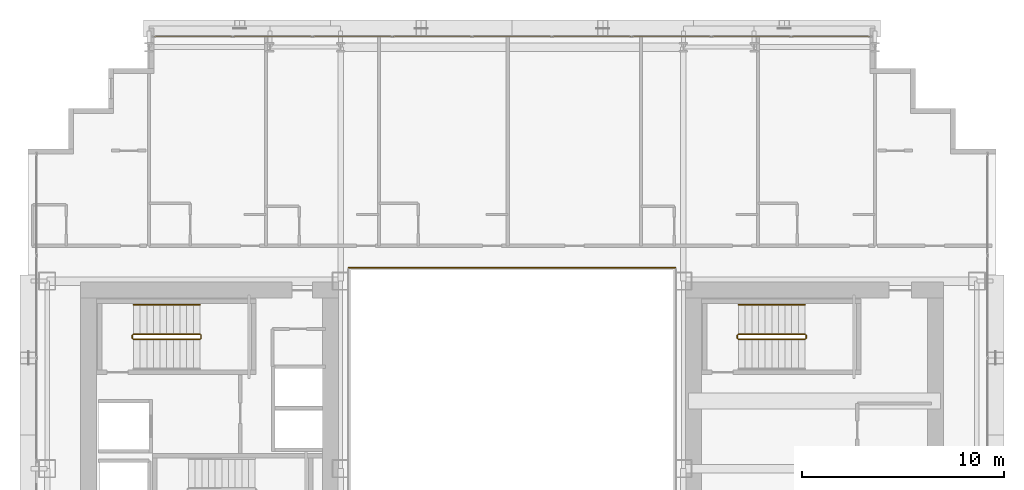
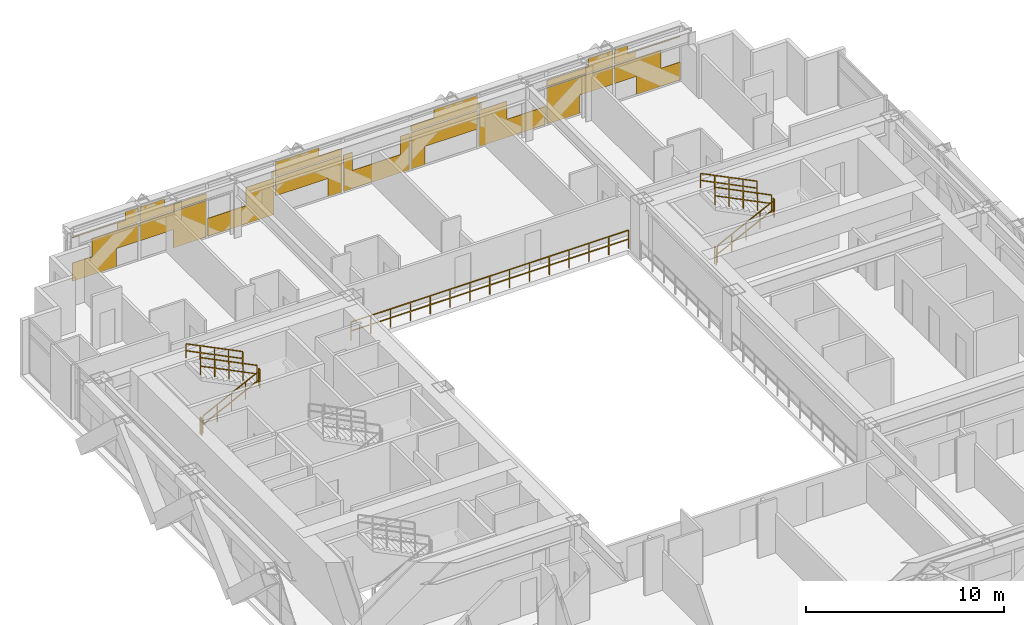
# One storey, part 35 of 35: 11 railings, 1 covering.
"""IFC4 building model written with IfcOpenShell, lengths in metres."""

from ifc_helpers import new_model, si_unit, direction, frame, origin, origin_2d, place, context, subcontext, project, spatial, rectangle, extrude, material, layer, layer_set, type_object, element, save


model = new_model("IFC4")

# Units and contexts
model_context = context("Model", 3, precision=1e-05, world=origin(), true_north=direction((0.0, 1.0)))
body_context = subcontext(model_context, "Body", "Model", "MODEL_VIEW")
ifc_project = project(units=[si_unit("LENGTHUNIT", "METRE"), si_unit("AREAUNIT", "SQUARE_METRE"), si_unit("VOLUMEUNIT", "CUBIC_METRE"), si_unit("PLANEANGLEUNIT", "RADIAN"), si_unit("MASSUNIT", "GRAM", prefix="KILO")], contexts=[model_context])

# Site, building, storey
site_placement = place(None, origin())
site = spatial("IfcSite", under=ifc_project, at=site_placement, CompositionType="ELEMENT")
building_placement = place(site_placement, origin())
building = spatial("IfcBuilding", under=site, at=building_placement, Name="Ocotamira Hotel", CompositionType="ELEMENT")
storey_placement = place(building_placement, frame((0.0, 0.0, 49.199951171875)))
storey = spatial("IfcBuildingStorey", under=building, at=storey_placement, Name="L11", CompositionType="ELEMENT", Elevation=49.199951171875)

# Covering
ifc_material_1 = material(Name="Insulated pale-metal aluminium spandrel panel", Category="aluminium")
ifc_layer = layer(ifc_material_1, 0.044921875)
ifc_layer_set = layer_set([ifc_layer], Name="Insulated pale-metal aluminium spandrel panel")
covering_type = type_object("IfcCoveringType", Name="COV-INFILL-45", PredefinedType="CLADDING", material=ifc_layer_set)
covering_placement = place(storey_placement, origin())
element("IfcCovering", 1, at=covering_placement, inside=storey, type_object=covering_type, Name="L11 Curtain Wall Infill CW-2 CW-L11-N", PredefinedType="CLADDING", context=body_context, shape_type="SweptSolid", body=[
    extrude(rectangle(XDim=2.556396484375, YDim=0.044921875, at=origin_2d()), frame((15.558837890625, 49.580078125, 0.07568359375), z_axis=(0.0, 0.0, 1.0), x_axis=(1.0, 0.0, 0.0)), (0.0, 0.0, 1.0), 1.11767578125),
    extrude(rectangle(XDim=2.7177734375, YDim=0.044921875, at=origin_2d()), frame((16.756103515625, 49.580078125, 1.1943359375), z_axis=(0.0, 0.0, 1.0), x_axis=(1.0, 0.0, 0.0)), (0.0, 0.0, 1.0), 1.117919921875),
    extrude(rectangle(XDim=3.834716796875, YDim=0.044921875, at=origin_2d()), frame((16.19775390625, 49.580078125, 2.7333984375), z_axis=(0.0, 0.0, 1.0), x_axis=(1.0, 0.0, 0.0)), (0.0, 0.0, 1.0), 0.0302734375),
    extrude(rectangle(XDim=1.2255859375, YDim=0.044921875, at=origin_2d()), frame((17.502197265625, 49.580078125, 2.38818359375), z_axis=(0.0, 0.0, 1.0), x_axis=(1.0, 0.0, 0.0)), (0.0, 0.0, 1.0), 0.344482421875),
    extrude(rectangle(XDim=0.754638671875, YDim=0.044921875, at=origin_2d()), frame((17.73779296875, 49.580078125, 2.7646484375), z_axis=(0.0, 0.0, 1.0), x_axis=(1.0, 0.0, 0.0)), (0.0, 0.0, 1.0), 0.509765625),
    extrude(rectangle(XDim=3.87451171875, YDim=0.044921875, at=origin_2d()), frame((20.13330078125, 49.580078125, 1.1943359375), z_axis=(0.0, 0.0, 1.0), x_axis=(1.0, 0.0, 0.0)), (0.0, 0.0, 1.0), 1.117919921875),
    extrude(rectangle(XDim=1.90771484375, YDim=0.044921875, at=origin_2d()), frame((21.11669921875, 49.580078125, 0.07568359375), z_axis=(0.0, 0.0, 1.0), x_axis=(1.0, 0.0, 0.0)), (0.0, 0.0, 1.0), 1.11767578125),
    extrude(rectangle(XDim=3.87451171875, YDim=0.044921875, at=origin_2d()), frame((20.13330078125, 49.580078125, 2.38818359375), z_axis=(0.0, 0.0, 1.0), x_axis=(1.0, 0.0, 0.0)), (0.0, 0.0, 1.0), 0.375732421875),
    extrude(rectangle(XDim=1.443603515625, YDim=0.044921875, at=origin_2d()), frame((18.917724609375, 49.580078125, 2.7646484375), z_axis=(0.0, 0.0, 1.0), x_axis=(1.0, 0.0, 0.0)), (0.0, 0.0, 1.0), 0.509765625),
    extrude(rectangle(XDim=3.87451171875, YDim=0.044921875, at=origin_2d()), frame((24.0888671875, 49.580078125, 0.07568359375), z_axis=(0.0, 0.0, 1.0), x_axis=(1.0, 0.0, 0.0)), (0.0, 0.0, 1.0), 1.11767578125),
    extrude(rectangle(XDim=1.62890625, YDim=0.044921875, at=origin_2d()), frame((25.2119140625, 49.580078125, 1.1943359375), z_axis=(0.0, 0.0, 1.0), x_axis=(1.0, 0.0, 0.0)), (0.0, 0.0, 1.0), 1.117919921875),
    extrude(rectangle(XDim=0.13671875, YDim=0.044921875, at=origin_2d()), frame((25.957763671875, 49.580078125, 2.38818359375), z_axis=(0.0, 0.0, 1.0), x_axis=(1.0, 0.0, 0.0)), (0.0, 0.0, 1.0), 0.375732421875),
    extrude(rectangle(XDim=3.87451171875, YDim=0.044921875, at=origin_2d()), frame((28.04443359375, 49.580078125, 1.1943359375), z_axis=(0.0, 0.0, 1.0), x_axis=(1.0, 0.0, 0.0)), (0.0, 0.0, 1.0), 1.117919921875),
    extrude(rectangle(XDim=0.81884765625, YDim=0.044921875, at=origin_2d()), frame((29.572265625, 49.580078125, 0.07568359375), z_axis=(0.0, 0.0, 1.0), x_axis=(1.0, 0.0, 0.0)), (0.0, 0.0, 1.0), 1.11767578125),
    extrude(rectangle(XDim=3.87451171875, YDim=0.044921875, at=origin_2d()), frame((28.04443359375, 49.580078125, 2.38818359375), z_axis=(0.0, 0.0, 1.0), x_axis=(1.0, 0.0, 0.0)), (0.0, 0.0, 1.0), 0.375732421875),
    extrude(rectangle(XDim=2.532470703125, YDim=0.044921875, at=origin_2d()), frame((27.373291015625, 49.580078125, 2.7646484375), z_axis=(0.0, 0.0, 1.0), x_axis=(1.0, 0.0, 0.0)), (0.0, 0.0, 1.0), 0.509765625),
    extrude(rectangle(XDim=3.87451171875, YDim=0.044921875, at=origin_2d()), frame((32.0, 49.580078125, 0.07568359375), z_axis=(0.0, 0.0, 1.0), x_axis=(1.0, 0.0, 0.0)), (0.0, 0.0, 1.0), 1.11767578125),
    extrude(rectangle(XDim=0.539794921875, YDim=0.044921875, at=origin_2d()), frame((30.332763671875, 49.580078125, 1.1943359375), z_axis=(0.0, 0.0, 1.0), x_axis=(1.0, 0.0, 0.0)), (0.0, 0.0, 1.0), 1.117919921875),
    extrude(rectangle(XDim=0.539794921875, YDim=0.044921875, at=origin_2d()), frame((33.667236328125, 49.580078125, 1.1943359375), z_axis=(0.0, 0.0, 1.0), x_axis=(1.0, 0.0, 0.0)), (0.0, 0.0, 1.0), 1.117919921875),
    extrude(rectangle(XDim=0.81884765625, YDim=0.044921875, at=origin_2d()), frame((34.427734375, 49.580078125, 0.07568359375), z_axis=(0.0, 0.0, 1.0), x_axis=(1.0, 0.0, 0.0)), (0.0, 0.0, 1.0), 1.11767578125),
    extrude(rectangle(XDim=3.87451171875, YDim=0.044921875, at=origin_2d()), frame((35.95556640625, 49.580078125, 1.1943359375), z_axis=(0.0, 0.0, 1.0), x_axis=(1.0, 0.0, 0.0)), (0.0, 0.0, 1.0), 1.117919921875),
    extrude(rectangle(XDim=3.87451171875, YDim=0.044921875, at=origin_2d()), frame((35.95556640625, 49.580078125, 2.38818359375), z_axis=(0.0, 0.0, 1.0), x_axis=(1.0, 0.0, 0.0)), (0.0, 0.0, 1.0), 0.375732421875),
    extrude(rectangle(XDim=2.532470703125, YDim=0.044921875, at=origin_2d()), frame((36.626708984375, 49.580078125, 2.7646484375), z_axis=(0.0, 0.0, 1.0), x_axis=(1.0, 0.0, 0.0)), (0.0, 0.0, 1.0), 0.509765625),
    extrude(rectangle(XDim=3.87451171875, YDim=0.044921875, at=origin_2d()), frame((39.9111328125, 49.580078125, 0.07568359375), z_axis=(0.0, 0.0, 1.0), x_axis=(1.0, 0.0, 0.0)), (0.0, 0.0, 1.0), 1.11767578125),
    extrude(rectangle(XDim=1.62890625, YDim=0.044921875, at=origin_2d()), frame((38.7880859375, 49.580078125, 1.1943359375), z_axis=(0.0, 0.0, 1.0), x_axis=(1.0, 0.0, 0.0)), (0.0, 0.0, 1.0), 1.117919921875),
    extrude(rectangle(XDim=0.13671875, YDim=0.044921875, at=origin_2d()), frame((38.042236328125, 49.580078125, 2.38818359375), z_axis=(0.0, 0.0, 1.0), x_axis=(1.0, 0.0, 0.0)), (0.0, 0.0, 1.0), 0.375732421875),
    extrude(rectangle(XDim=1.90771484375, YDim=0.044921875, at=origin_2d()), frame((42.88330078125, 49.580078125, 0.07568359375), z_axis=(0.0, 0.0, 1.0), x_axis=(1.0, 0.0, 0.0)), (0.0, 0.0, 1.0), 1.11767578125),
    extrude(rectangle(XDim=3.87451171875, YDim=0.044921875, at=origin_2d()), frame((43.86669921875, 49.580078125, 1.1943359375), z_axis=(0.0, 0.0, 1.0), x_axis=(1.0, 0.0, 0.0)), (0.0, 0.0, 1.0), 1.117919921875),
    extrude(rectangle(XDim=3.87451171875, YDim=0.044921875, at=origin_2d()), frame((43.86669921875, 49.580078125, 2.38818359375), z_axis=(0.0, 0.0, 1.0), x_axis=(1.0, 0.0, 0.0)), (0.0, 0.0, 1.0), 0.375732421875),
    extrude(rectangle(XDim=1.443603515625, YDim=0.044921875, at=origin_2d()), frame((45.082275390625, 49.580078125, 2.7646484375), z_axis=(0.0, 0.0, 1.0), x_axis=(1.0, 0.0, 0.0)), (0.0, 0.0, 1.0), 0.509765625),
    extrude(rectangle(XDim=2.7177734375, YDim=0.044921875, at=origin_2d()), frame((47.243896484375, 49.580078125, 1.1943359375), z_axis=(0.0, 0.0, 1.0), x_axis=(1.0, 0.0, 0.0)), (0.0, 0.0, 1.0), 1.117919921875),
    extrude(rectangle(XDim=2.556396484375, YDim=0.044921875, at=origin_2d()), frame((48.441162109375, 49.580078125, 0.07568359375), z_axis=(0.0, 0.0, 1.0), x_axis=(1.0, 0.0, 0.0)), (0.0, 0.0, 1.0), 1.11767578125),
    extrude(rectangle(XDim=1.2255859375, YDim=0.044921875, at=origin_2d()), frame((46.497802734375, 49.580078125, 2.38818359375), z_axis=(0.0, 0.0, 1.0), x_axis=(1.0, 0.0, 0.0)), (0.0, 0.0, 1.0), 0.344482421875),
    extrude(rectangle(XDim=3.834716796875, YDim=0.044921875, at=origin_2d()), frame((47.80224609375, 49.580078125, 2.7333984375), z_axis=(0.0, 0.0, 1.0), x_axis=(1.0, 0.0, 0.0)), (0.0, 0.0, 1.0), 0.0302734375),
    extrude(rectangle(XDim=0.754638671875, YDim=0.044921875, at=origin_2d()), frame((46.26220703125, 49.580078125, 2.7646484375), z_axis=(0.0, 0.0, 1.0), x_axis=(1.0, 0.0, 0.0)), (0.0, 0.0, 1.0), 0.509765625),
])

# Railings
ifc_material_2 = material(Name="Painted steel stair guardrail", Category="steel")
railing_type_1 = type_object("IfcRailingType", Name="RL-EDGE-1150", PredefinedType="GUARDRAIL", material=ifc_material_2)
railing_1_placement = place(storey_placement, frame((40.10009765625, 38.1201171875, 0.0)))
element("IfcRailing", 2, at=railing_1_placement, inside=storey, type_object=railing_type_1, Name="L11 Central Atrium Edge Guardrail N", PredefinedType="GUARDRAIL", context=body_context, shape_type="SweptSolid", body=[
    extrude(rectangle(XDim=0.048095703125, YDim=0.048095703125, at=origin_2d()), frame((0.0, 0.0, 1.1259765625), z_axis=(-1.0, 0.0, 0.0), x_axis=(0.0, -1.0, 0.0)), (0.0, 0.0, 1.0), 16.2001953125),
    extrude(rectangle(XDim=0.048095703125, YDim=0.048095703125, at=origin_2d()), frame((0.0, 0.0, 0.574951171875), z_axis=(-1.0, 0.0, 0.0), x_axis=(0.0, -1.0, 0.0)), (0.0, 0.0, 1.0), 16.2001953125),
    extrude(rectangle(XDim=0.0419921875, YDim=0.0419921875, at=origin_2d()), origin(), (0.0, 0.0, 1.0), 1.101806640625),
    extrude(rectangle(XDim=0.0419921875, YDim=0.0419921875, at=origin_2d()), frame((-1.1572265625, 0.0, 0.0)), (0.0, 0.0, 1.0), 1.101806640625),
    extrude(rectangle(XDim=0.0419921875, YDim=0.0419921875, at=origin_2d()), frame((-2.314208984375, 0.0, 0.0)), (0.0, 0.0, 1.0), 1.101806640625),
    extrude(rectangle(XDim=0.0419921875, YDim=0.0419921875, at=origin_2d()), frame((-3.471435546875, 0.0, 0.0)), (0.0, 0.0, 1.0), 1.101806640625),
    extrude(rectangle(XDim=0.0419921875, YDim=0.0419921875, at=origin_2d()), frame((-4.628662109375, 0.0, 0.0)), (0.0, 0.0, 1.0), 1.101806640625),
    extrude(rectangle(XDim=0.0419921875, YDim=0.0419921875, at=origin_2d()), frame((-5.785888671875, 0.0, 0.0)), (0.0, 0.0, 1.0), 1.101806640625),
    extrude(rectangle(XDim=0.0419921875, YDim=0.0419921875, at=origin_2d()), frame((-6.94287109375, 0.0, 0.0)), (0.0, 0.0, 1.0), 1.101806640625),
    extrude(rectangle(XDim=0.0419921875, YDim=0.0419921875, at=origin_2d()), frame((-8.10009765625, 0.0, 0.0)), (0.0, 0.0, 1.0), 1.101806640625),
    extrude(rectangle(XDim=0.0419921875, YDim=0.0419921875, at=origin_2d()), frame((-9.25732421875, 0.0, 0.0)), (0.0, 0.0, 1.0), 1.101806640625),
    extrude(rectangle(XDim=0.0419921875, YDim=0.0419921875, at=origin_2d()), frame((-10.414306640625, 0.0, 0.0)), (0.0, 0.0, 1.0), 1.101806640625),
    extrude(rectangle(XDim=0.0419921875, YDim=0.0419921875, at=origin_2d()), frame((-11.571533203125, 0.0, 0.0)), (0.0, 0.0, 1.0), 1.101806640625),
    extrude(rectangle(XDim=0.0419921875, YDim=0.0419921875, at=origin_2d()), frame((-12.728759765625, 0.0, 0.0)), (0.0, 0.0, 1.0), 1.101806640625),
    extrude(rectangle(XDim=0.0419921875, YDim=0.0419921875, at=origin_2d()), frame((-13.885986328125, 0.0, 0.0)), (0.0, 0.0, 1.0), 1.101806640625),
    extrude(rectangle(XDim=0.0419921875, YDim=0.0419921875, at=origin_2d()), frame((-15.04296875, 0.0, 0.0)), (0.0, 0.0, 1.0), 1.101806640625),
    extrude(rectangle(XDim=0.0419921875, YDim=0.0419921875, at=origin_2d()), frame((-16.2001953125, 0.0, 0.0)), (0.0, 0.0, 1.0), 1.101806640625),
])
ifc_material_3 = material(Name="Brushed stainless steel handrail", Category="steel")
railing_type_2 = type_object("IfcRailingType", Name="RL-HAND-900", PredefinedType="HANDRAIL", material=ifc_material_3)
for number, where, name in (
    (3, (16.530029296875, 36.280029296875, 2.12744140625), "L11 ST-2 stair handrail 2"),
    (4, (46.530029296875, 36.280029296875, 2.12744140625), "L11 ST-4 stair handrail 2"),
):
    element("IfcRailing", number, at=place(storey_placement, frame(where)), inside=storey, type_object=railing_type_2, Name=name, PredefinedType="HANDRAIL", context=body_context, shape_type="SweptSolid", body=[
        extrude(rectangle(XDim=0.048095703125, YDim=0.048095703125, at=origin_2d()), frame((0.0, 0.0, 0.8759765625), z_axis=(-0.895920123917, 0.0, 0.444215186098), x_axis=(0.0, -1.0, 0.0)), (0.0, 0.0, 1.0), 3.683349609375),
        extrude(rectangle(XDim=0.048095703125, YDim=0.048095703125, at=origin_2d()), frame((0.0, 0.0, 0.449951171875), z_axis=(-0.895920123917, 0.0, 0.444215186098), x_axis=(0.0, -1.0, 0.0)), (0.0, 0.0, 1.0), 3.683349609375),
        extrude(rectangle(XDim=0.0419921875, YDim=0.0419921875, at=origin_2d()), origin(), (0.0, 0.0, 1.0), 0.851806640625),
        extrude(rectangle(XDim=0.0419921875, YDim=0.0419921875, at=origin_2d()), frame((-0.824951171875, 0.0, 0.4091796875)), (0.0, 0.0, 1.0), 0.851806640625),
        extrude(rectangle(XDim=0.0419921875, YDim=0.0419921875, at=origin_2d()), frame((-1.64990234375, 0.0, 0.818115234375)), (0.0, 0.0, 1.0), 0.851806640625),
        extrude(rectangle(XDim=0.0419921875, YDim=0.0419921875, at=origin_2d()), frame((-2.47509765625, 0.0, 1.22705078125)), (0.0, 0.0, 1.0), 0.851806640625),
        extrude(rectangle(XDim=0.0419921875, YDim=0.0419921875, at=origin_2d()), frame((-3.300048828125, 0.0, 1.63623046875)), (0.0, 0.0, 1.0), 0.851806640625),
    ])
railing_type_3 = type_object("IfcRailingType", Name="RL-STAIR-1100", PredefinedType="GUARDRAIL", material=ifc_material_2)
railing_2_placement = place(storey_placement, frame((13.22998046875, 34.56005859375, 0.16357421875)))
element("IfcRailing", 5, at=railing_2_placement, inside=storey, type_object=railing_type_3, Name="L11 ST-2 stair guard 1", PredefinedType="GUARDRAIL", context=body_context, shape_type="SweptSolid", body=[
    extrude(rectangle(XDim=0.048095703125, YDim=0.048095703125, at=origin_2d()), frame((0.0, 0.0, 1.076171875), z_axis=(0.895893744519, 0.0, 0.4442683857), x_axis=(0.0, 1.0, 0.0)), (0.0, 0.0, 1.0), 3.68359375),
    extrude(rectangle(XDim=0.048095703125, YDim=0.048095703125, at=origin_2d()), frame((0.0, 0.0, 0.550048828125), z_axis=(0.895893744519, 0.0, 0.4442683857), x_axis=(0.0, 1.0, 0.0)), (0.0, 0.0, 1.0), 3.68359375),
    extrude(rectangle(XDim=0.0419921875, YDim=0.0419921875, at=origin_2d()), origin(), (0.0, 0.0, 1.0), 1.052001953125),
    extrude(rectangle(XDim=0.0419921875, YDim=0.0419921875, at=origin_2d()), frame((0.824951171875, 0.0, 0.4091796875)), (0.0, 0.0, 1.0), 1.052001953125),
    extrude(rectangle(XDim=0.0419921875, YDim=0.0419921875, at=origin_2d()), frame((1.64990234375, 0.0, 0.818359375)), (0.0, 0.0, 1.0), 1.052001953125),
    extrude(rectangle(XDim=0.0419921875, YDim=0.0419921875, at=origin_2d()), frame((2.47509765625, 0.0, 1.227294921875)), (0.0, 0.0, 1.0), 1.052001953125),
    extrude(rectangle(XDim=0.0419921875, YDim=0.0419921875, at=origin_2d()), frame((3.300048828125, 0.0, 1.636474609375)), (0.0, 0.0, 1.0), 1.052001953125),
])
railing_3_placement = place(storey_placement, frame((16.580078125, 34.610107421875, 1.800048828125)))
element("IfcRailing", 6, at=railing_3_placement, inside=storey, type_object=railing_type_3, Name="L11 ST-2 stair guard 2", PredefinedType="GUARDRAIL", context=body_context, shape_type="SweptSolid", body=[
    extrude(rectangle(XDim=0.048095703125, YDim=0.048095703125, at=origin_2d()), frame((0.0, 0.0, 1.076171875), z_axis=(0.0, 1.0, 0.0), x_axis=(-1.0, 0.0, 0.0)), (0.0, 0.0, 1.0), 0.159912109375),
    extrude(rectangle(XDim=0.048095703125, YDim=0.048095703125, at=origin_2d()), frame((0.0, 0.0, 0.550048828125), z_axis=(0.0, 1.0, 0.0), x_axis=(-1.0, 0.0, 0.0)), (0.0, 0.0, 1.0), 0.159912109375),
    extrude(rectangle(XDim=0.0419921875, YDim=0.0419921875, at=origin_2d()), origin(), (0.0, 0.0, 1.0), 1.052001953125),
    extrude(rectangle(XDim=0.0419921875, YDim=0.0419921875, at=origin_2d()), frame((0.0, 0.159912109375, 0.0)), (0.0, 0.0, 1.0), 1.052001953125),
])
railing_4_placement = place(storey_placement, frame((16.530029296875, 34.820068359375, 1.963623046875)))
element("IfcRailing", 7, at=railing_4_placement, inside=storey, type_object=railing_type_3, Name="L11 ST-2 stair guard 3", PredefinedType="GUARDRAIL", context=body_context, shape_type="SweptSolid", body=[
    extrude(rectangle(XDim=0.048095703125, YDim=0.048095703125, at=origin_2d()), frame((0.0, 0.0, 1.076171875), z_axis=(-0.895893744519, 0.0, 0.4442683857), x_axis=(0.0, -1.0, 0.0)), (0.0, 0.0, 1.0), 3.68359375),
    extrude(rectangle(XDim=0.048095703125, YDim=0.048095703125, at=origin_2d()), frame((0.0, 0.0, 0.550048828125), z_axis=(-0.895893744519, 0.0, 0.4442683857), x_axis=(0.0, -1.0, 0.0)), (0.0, 0.0, 1.0), 3.68359375),
    extrude(rectangle(XDim=0.0419921875, YDim=0.0419921875, at=origin_2d()), origin(), (0.0, 0.0, 1.0), 1.052001953125),
    extrude(rectangle(XDim=0.0419921875, YDim=0.0419921875, at=origin_2d()), frame((-0.824951171875, 0.0, 0.4091796875)), (0.0, 0.0, 1.0), 1.052001953125),
    extrude(rectangle(XDim=0.0419921875, YDim=0.0419921875, at=origin_2d()), frame((-1.64990234375, 0.0, 0.818359375)), (0.0, 0.0, 1.0), 1.052001953125),
    extrude(rectangle(XDim=0.0419921875, YDim=0.0419921875, at=origin_2d()), frame((-2.47509765625, 0.0, 1.227294921875)), (0.0, 0.0, 1.0), 1.052001953125),
    extrude(rectangle(XDim=0.0419921875, YDim=0.0419921875, at=origin_2d()), frame((-3.300048828125, 0.0, 1.636474609375)), (0.0, 0.0, 1.0), 1.052001953125),
])
railing_5_placement = place(storey_placement, frame((13.179931640625, 34.610107421875, 0.0)))
element("IfcRailing", 8, at=railing_5_placement, inside=storey, type_object=railing_type_3, Name="L11 ST-2 stair guard 4", PredefinedType="GUARDRAIL", context=body_context, shape_type="SweptSolid", body=[
    extrude(rectangle(XDim=0.048095703125, YDim=0.048095703125, at=origin_2d()), frame((0.0, 0.0, 1.076171875), z_axis=(0.0, 1.0, 0.0), x_axis=(-1.0, 0.0, 0.0)), (0.0, 0.0, 1.0), 0.159912109375),
    extrude(rectangle(XDim=0.048095703125, YDim=0.048095703125, at=origin_2d()), frame((0.0, 0.0, 0.550048828125), z_axis=(0.0, 1.0, 0.0), x_axis=(-1.0, 0.0, 0.0)), (0.0, 0.0, 1.0), 0.159912109375),
    extrude(rectangle(XDim=0.0419921875, YDim=0.0419921875, at=origin_2d()), origin(), (0.0, 0.0, 1.0), 1.052001953125),
    extrude(rectangle(XDim=0.0419921875, YDim=0.0419921875, at=origin_2d()), frame((0.0, 0.159912109375, 0.0)), (0.0, 0.0, 1.0), 1.052001953125),
])
railing_6_placement = place(storey_placement, frame((43.22998046875, 34.56005859375, 0.16357421875)))
element("IfcRailing", 9, at=railing_6_placement, inside=storey, type_object=railing_type_3, Name="L11 ST-4 stair guard 1", PredefinedType="GUARDRAIL", context=body_context, shape_type="SweptSolid", body=[
    extrude(rectangle(XDim=0.048095703125, YDim=0.048095703125, at=origin_2d()), frame((0.0, 0.0, 1.076171875), z_axis=(0.895893744519, 0.0, 0.4442683857), x_axis=(0.0, 1.0, 0.0)), (0.0, 0.0, 1.0), 3.68359375),
    extrude(rectangle(XDim=0.048095703125, YDim=0.048095703125, at=origin_2d()), frame((0.0, 0.0, 0.550048828125), z_axis=(0.895893744519, 0.0, 0.4442683857), x_axis=(0.0, 1.0, 0.0)), (0.0, 0.0, 1.0), 3.68359375),
    extrude(rectangle(XDim=0.0419921875, YDim=0.0419921875, at=origin_2d()), origin(), (0.0, 0.0, 1.0), 1.052001953125),
    extrude(rectangle(XDim=0.0419921875, YDim=0.0419921875, at=origin_2d()), frame((0.824951171875, 0.0, 0.4091796875)), (0.0, 0.0, 1.0), 1.052001953125),
    extrude(rectangle(XDim=0.0419921875, YDim=0.0419921875, at=origin_2d()), frame((1.64990234375, 0.0, 0.818359375)), (0.0, 0.0, 1.0), 1.052001953125),
    extrude(rectangle(XDim=0.0419921875, YDim=0.0419921875, at=origin_2d()), frame((2.47509765625, 0.0, 1.227294921875)), (0.0, 0.0, 1.0), 1.052001953125),
    extrude(rectangle(XDim=0.0419921875, YDim=0.0419921875, at=origin_2d()), frame((3.300048828125, 0.0, 1.636474609375)), (0.0, 0.0, 1.0), 1.052001953125),
])
railing_7_placement = place(storey_placement, frame((46.580078125, 34.610107421875, 1.800048828125)))
element("IfcRailing", 10, at=railing_7_placement, inside=storey, type_object=railing_type_3, Name="L11 ST-4 stair guard 2", PredefinedType="GUARDRAIL", context=body_context, shape_type="SweptSolid", body=[
    extrude(rectangle(XDim=0.048095703125, YDim=0.048095703125, at=origin_2d()), frame((0.0, 0.0, 1.076171875), z_axis=(0.0, 1.0, 0.0), x_axis=(-1.0, 0.0, 0.0)), (0.0, 0.0, 1.0), 0.159912109375),
    extrude(rectangle(XDim=0.048095703125, YDim=0.048095703125, at=origin_2d()), frame((0.0, 0.0, 0.550048828125), z_axis=(0.0, 1.0, 0.0), x_axis=(-1.0, 0.0, 0.0)), (0.0, 0.0, 1.0), 0.159912109375),
    extrude(rectangle(XDim=0.0419921875, YDim=0.0419921875, at=origin_2d()), origin(), (0.0, 0.0, 1.0), 1.052001953125),
    extrude(rectangle(XDim=0.0419921875, YDim=0.0419921875, at=origin_2d()), frame((0.0, 0.159912109375, 0.0)), (0.0, 0.0, 1.0), 1.052001953125),
])
railing_8_placement = place(storey_placement, frame((46.530029296875, 34.820068359375, 1.963623046875)))
element("IfcRailing", 11, at=railing_8_placement, inside=storey, type_object=railing_type_3, Name="L11 ST-4 stair guard 3", PredefinedType="GUARDRAIL", context=body_context, shape_type="SweptSolid", body=[
    extrude(rectangle(XDim=0.048095703125, YDim=0.048095703125, at=origin_2d()), frame((0.0, 0.0, 1.076171875), z_axis=(-0.895893744519, 0.0, 0.4442683857), x_axis=(0.0, -1.0, 0.0)), (0.0, 0.0, 1.0), 3.68359375),
    extrude(rectangle(XDim=0.048095703125, YDim=0.048095703125, at=origin_2d()), frame((0.0, 0.0, 0.550048828125), z_axis=(-0.895893744519, 0.0, 0.4442683857), x_axis=(0.0, -1.0, 0.0)), (0.0, 0.0, 1.0), 3.68359375),
    extrude(rectangle(XDim=0.0419921875, YDim=0.0419921875, at=origin_2d()), origin(), (0.0, 0.0, 1.0), 1.052001953125),
    extrude(rectangle(XDim=0.0419921875, YDim=0.0419921875, at=origin_2d()), frame((-0.824951171875, 0.0, 0.4091796875)), (0.0, 0.0, 1.0), 1.052001953125),
    extrude(rectangle(XDim=0.0419921875, YDim=0.0419921875, at=origin_2d()), frame((-1.64990234375, 0.0, 0.818359375)), (0.0, 0.0, 1.0), 1.052001953125),
    extrude(rectangle(XDim=0.0419921875, YDim=0.0419921875, at=origin_2d()), frame((-2.47509765625, 0.0, 1.227294921875)), (0.0, 0.0, 1.0), 1.052001953125),
    extrude(rectangle(XDim=0.0419921875, YDim=0.0419921875, at=origin_2d()), frame((-3.300048828125, 0.0, 1.636474609375)), (0.0, 0.0, 1.0), 1.052001953125),
])
railing_9_placement = place(storey_placement, frame((43.179931640625, 34.610107421875, 0.0)))
element("IfcRailing", 12, at=railing_9_placement, inside=storey, type_object=railing_type_3, Name="L11 ST-4 stair guard 4", PredefinedType="GUARDRAIL", context=body_context, shape_type="SweptSolid", body=[
    extrude(rectangle(XDim=0.048095703125, YDim=0.048095703125, at=origin_2d()), frame((0.0, 0.0, 1.076171875), z_axis=(0.0, 1.0, 0.0), x_axis=(-1.0, 0.0, 0.0)), (0.0, 0.0, 1.0), 0.159912109375),
    extrude(rectangle(XDim=0.048095703125, YDim=0.048095703125, at=origin_2d()), frame((0.0, 0.0, 0.550048828125), z_axis=(0.0, 1.0, 0.0), x_axis=(-1.0, 0.0, 0.0)), (0.0, 0.0, 1.0), 0.159912109375),
    extrude(rectangle(XDim=0.0419921875, YDim=0.0419921875, at=origin_2d()), origin(), (0.0, 0.0, 1.0), 1.052001953125),
    extrude(rectangle(XDim=0.0419921875, YDim=0.0419921875, at=origin_2d()), frame((0.0, 0.159912109375, 0.0)), (0.0, 0.0, 1.0), 1.052001953125),
])

save(model, "model.ifc")
